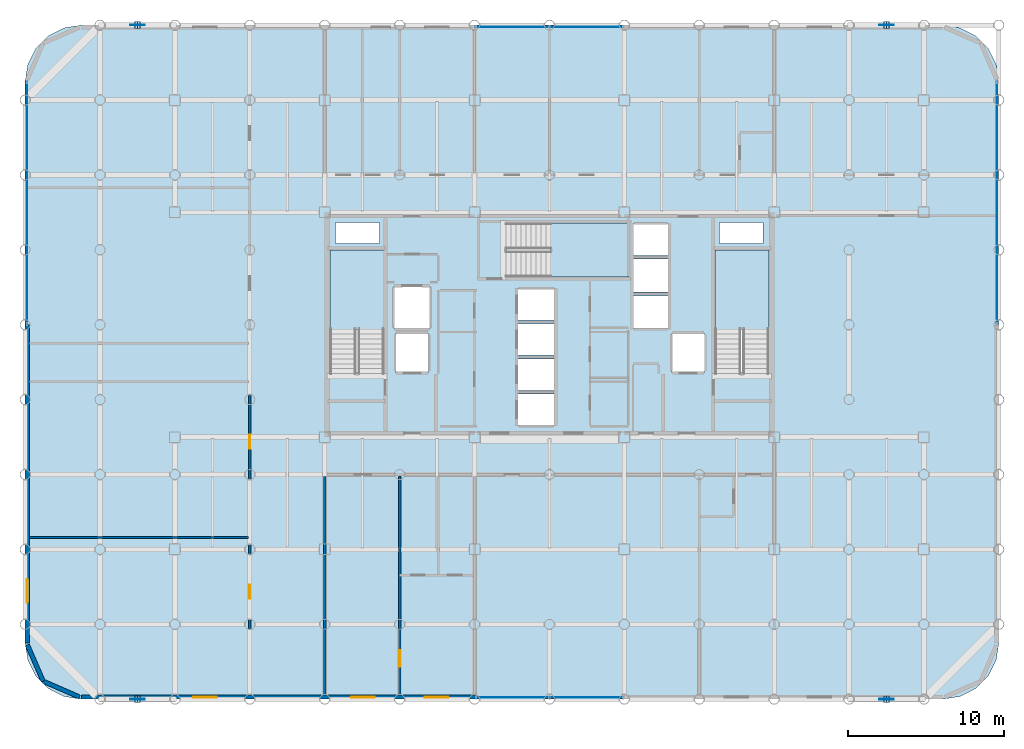
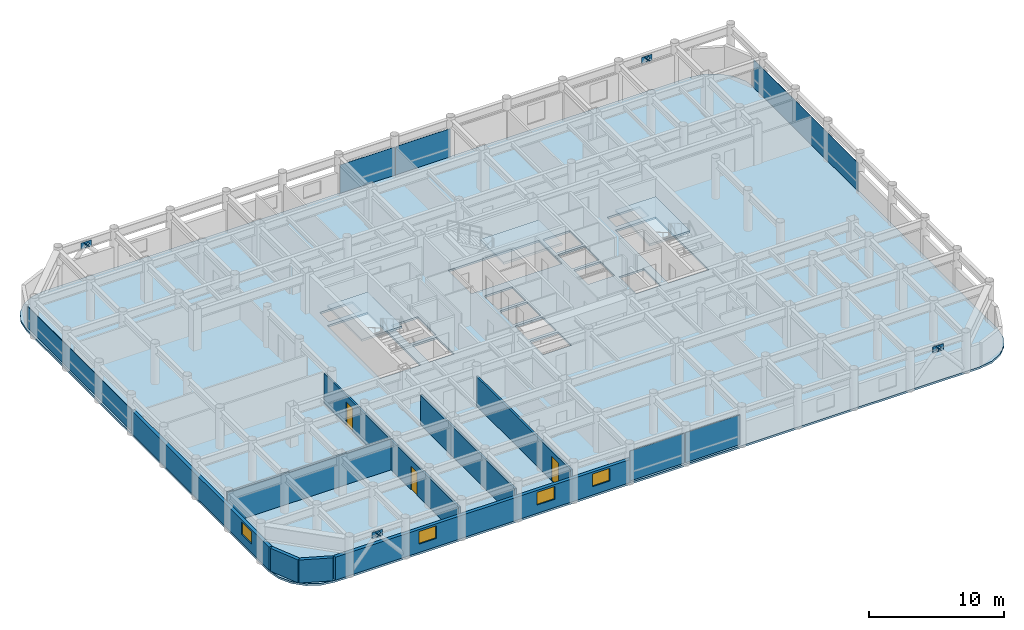
# One storey, part 15 of 20: 18 plates, 8 walls, 4 slabs, 4 windows, 3 doors, 7 openings, 7 elements without a shape of their own.
"""IFC4 building model written with IfcOpenShell, lengths in metres."""

from ifc_helpers import new_model, si_unit, direction, frame, frame_2d, origin, origin_2d, place, context, subcontext, project, spatial, polyline, rectangle, outline, extrude, material, layer, layer_set, type_object, element, fill, aggregate, save


model = new_model("IFC4")

# Units and contexts
model_context = context("Model", 3, precision=1e-05, world=origin(), true_north=direction((0.0, 1.0)))
body_context = subcontext(model_context, "Body", "Model", "MODEL_VIEW")
ifc_project = project(units=[si_unit("LENGTHUNIT", "METRE"), si_unit("AREAUNIT", "SQUARE_METRE"), si_unit("VOLUMEUNIT", "CUBIC_METRE"), si_unit("PLANEANGLEUNIT", "RADIAN"), si_unit("MASSUNIT", "GRAM", prefix="KILO")], contexts=[model_context])

# Site, building, storey
site_placement = place(None, origin())
site = spatial("IfcSite", under=ifc_project, at=site_placement, CompositionType="ELEMENT")
building_placement = place(site_placement, origin())
building = spatial("IfcBuilding", under=site, at=building_placement, Name="Kallvorn Hotel Tower", CompositionType="ELEMENT")
storey_placement = place(building_placement, frame((0.0, 0.0, 176.60009765625)))
storey = spatial("IfcBuildingStorey", under=building, at=storey_placement, Name="L44", CompositionType="ELEMENT", Elevation=176.60009765625)

# Curtain wall, plates
ifc_material_1 = material(Name="Thermally broken black-anodised aluminium AA 6063-T6", Category="aluminium")
ifc_layer_1 = layer(ifc_material_1, 0.2099609375)
ifc_layer_set_1 = layer_set([ifc_layer_1], Name="CW_SYS_4_HOTEL_MID")
curtain_wall_type = type_object("IfcCurtainWallType", Name="CW_SYS_4_HOTEL_MID", PredefinedType="USERDEFINED", material=ifc_layer_set_1)
curtain_wall_1_placement = place(storey_placement, origin())
curtain_wall_1 = element("IfcCurtainWall", 1, at=curtain_wall_1_placement, inside=storey, type_object=curtain_wall_type, Name="L44 Dark-Glass Curtain Wall CW-L44-SC", ObjectType="UNITISED CURTAIN WALL", PredefinedType="USERDEFINED")
ifc_material_2 = material(Name="Double-glazed low-e solar-control dark glass", Category="glass")
ifc_layer_2 = layer(ifc_material_2, 0.037841796875)
ifc_layer_set_2 = layer_set([ifc_layer_2], Name="CW_SYS_4_HOTEL_MID_PANEL")
plate_type_1 = type_object("IfcPlateType", Name="CW_SYS_4_HOTEL_MID_PANEL", PredefinedType="CURTAIN_PANEL", material=ifc_layer_set_2)
plate_1_placement = place(storey_placement, frame((-2.375, -23.8798828125, 0.059814453125), z_axis=(0.0, 0.0, 1.0), x_axis=(1.0, 0.0, 0.0)))
plate_1 = element("IfcPlate", 2, at=plate_1_placement, type_object=plate_type_1, Name="CW-L44-SC Vision Glass Panel 00", PredefinedType="CURTAIN_PANEL", context=body_context, shape_type="SweptSolid", body=[
    extrude(rectangle(XDim=4.68994140625, YDim=0.037841796875, at=origin_2d()), origin(), (0.0, 0.0, 1.0), 2.7099609375),
])
plate_2_placement = place(storey_placement, frame((2.375, -23.8798828125, 0.059814453125), z_axis=(0.0, 0.0, 1.0), x_axis=(1.0, 0.0, 0.0)))
plate_2 = element("IfcPlate", 3, at=plate_2_placement, type_object=plate_type_1, Name="CW-L44-SC Vision Glass Panel 01", PredefinedType="CURTAIN_PANEL", context=body_context, shape_type="SweptSolid", body=[
    extrude(rectangle(XDim=4.68994140625, YDim=0.037841796875, at=origin_2d()), origin(), (0.0, 0.0, 1.0), 2.7099609375),
])
aggregate(curtain_wall_1, [plate_1, plate_2])

curtain_wall_2_placement = place(storey_placement, origin())
curtain_wall_2 = element("IfcCurtainWall", 4, at=curtain_wall_2_placement, inside=storey, type_object=curtain_wall_type, Name="L44 Dark-Glass Curtain Wall CW-L44-NC", ObjectType="UNITISED CURTAIN WALL", PredefinedType="USERDEFINED")
plate_3_placement = place(storey_placement, frame((-2.375, 19.080078125, 0.059814453125), z_axis=(0.0, 0.0, 1.0), x_axis=(1.0, 0.0, 0.0)))
plate_3 = element("IfcPlate", 5, at=plate_3_placement, type_object=plate_type_1, Name="CW-L44-NC Vision Glass Panel 00", PredefinedType="CURTAIN_PANEL", context=body_context, shape_type="SweptSolid", body=[
    extrude(rectangle(XDim=4.68994140625, YDim=0.037841796875, at=origin_2d()), origin(), (0.0, 0.0, 1.0), 2.56005859375),
])
plate_4_placement = place(storey_placement, frame((2.375, 19.080078125, 0.059814453125), z_axis=(0.0, 0.0, 1.0), x_axis=(1.0, 0.0, 0.0)))
plate_4 = element("IfcPlate", 6, at=plate_4_placement, type_object=plate_type_1, Name="CW-L44-NC Vision Glass Panel 01", PredefinedType="CURTAIN_PANEL", context=body_context, shape_type="SweptSolid", body=[
    extrude(rectangle(XDim=4.68994140625, YDim=0.037841796875, at=origin_2d()), origin(), (0.0, 0.0, 1.0), 2.56005859375),
])
aggregate(curtain_wall_2, [plate_3, plate_4])

# Curtain wall, plate
curtain_wall_3_placement = place(storey_placement, origin())
curtain_wall_3 = element("IfcCurtainWall", 7, at=curtain_wall_3_placement, inside=storey, type_object=curtain_wall_type, Name="L44 Dark-Glass Curtain Wall CW-L44-WN", ObjectType="UNITISED CURTAIN WALL", PredefinedType="USERDEFINED")
plate_5_placement = place(storey_placement, frame((-33.47998046875, 7.81005859375, 0.059814453125), z_axis=(0.0, 0.0, 1.0), x_axis=(0.0, 1.0, 0.0)))
plate_5 = element("IfcPlate", 8, at=plate_5_placement, type_object=plate_type_1, Name="CW-L44-WN Vision Glass Panel 00", PredefinedType="CURTAIN_PANEL", context=body_context, shape_type="SweptSolid", body=[
    extrude(rectangle(XDim=15.52001953125, YDim=0.037841796875, at=origin_2d()), origin(), (0.0, 0.0, 1.0), 1.9599609375),
])
aggregate(curtain_wall_3, [plate_5])

curtain_wall_4_placement = place(storey_placement, origin())
curtain_wall_4 = element("IfcCurtainWall", 9, at=curtain_wall_4_placement, inside=storey, type_object=curtain_wall_type, Name="L44 Dark-Glass Curtain Wall CW-L44-EN", ObjectType="UNITISED CURTAIN WALL", PredefinedType="USERDEFINED")
plate_6_placement = place(storey_placement, frame((28.679931640625, 7.81005859375, 0.059814453125), z_axis=(0.0, 0.0, 1.0), x_axis=(0.0, 1.0, 0.0)))
plate_6 = element("IfcPlate", 10, at=plate_6_placement, type_object=plate_type_1, Name="CW-L44-EN Vision Glass Panel 00", PredefinedType="CURTAIN_PANEL", context=body_context, shape_type="SweptSolid", body=[
    extrude(rectangle(XDim=15.52001953125, YDim=0.037841796875, at=origin_2d()), origin(), (0.0, 0.0, 1.0), 2.56005859375),
])
aggregate(curtain_wall_4, [plate_6])

# Plates
ifc_material_3 = material(Name="Structural steel S355JR", Category="steel")
ifc_layer_3 = layer(ifc_material_3, 0.030029296875)
ifc_layer_set_3 = layer_set([ifc_layer_3], Name="PLT_CAP_30")
plate_type_2 = type_object("IfcPlateType", Name="PLT_CAP_30", PredefinedType="SHEET", material=ifc_layer_set_3)
for number, where, z_axis, x_axis, name in (
    (11, (-26.228271484375, -24.2177734375, 2.83544921875), (0.651852375345, 0.0, 0.758345884645), (0.0, 1.0, 0.0), "EXO-L44-S1A End Cap Plate B"),
    (12, (-26.57177734375, -23.7822265625, 2.83544921875), (-0.651852375345, 0.0, 0.758345884645), (0.0, -1.0, 0.0), "EXO-L44-S1B End Cap Plate B"),
    (13, (21.771728515625, -24.2177734375, 2.83544921875), (0.651852375345, 0.0, 0.758345884645), (0.0, 1.0, 0.0), "EXO-L44-S2A End Cap Plate B"),
    (14, (21.42822265625, -23.7822265625, 2.83544921875), (-0.651852375345, 0.0, 0.758345884645), (0.0, -1.0, 0.0), "EXO-L44-S2B End Cap Plate B"),
    (15, (-26.228271484375, 18.982177734375, 2.83544921875), (0.651852375345, 0.0, 0.758345884645), (0.0, 1.0, 0.0), "EXO-L44-N1A End Cap Plate B"),
    (16, (-26.57177734375, 19.417724609375, 2.83544921875), (-0.651852375345, 0.0, 0.758345884645), (0.0, -1.0, 0.0), "EXO-L44-N1B End Cap Plate B"),
    (17, (21.771728515625, 18.982177734375, 2.83544921875), (0.651852375345, 0.0, 0.758345884645), (0.0, 1.0, 0.0), "EXO-L44-N2A End Cap Plate B"),
    (18, (21.42822265625, 19.417724609375, 2.83544921875), (-0.651852375345, 0.0, 0.758345884645), (0.0, -1.0, 0.0), "EXO-L44-N2B End Cap Plate B"),
):
    element("IfcPlate", number, at=place(storey_placement, frame(where, z_axis=z_axis, x_axis=x_axis)), inside=storey, type_object=plate_type_2, Name=name, PredefinedType="SHEET", context=body_context, shape_type="SweptSolid", body=[
        extrude(outline(polyline([(0.0, 0.0), (0.435546875, 0.0), (0.435546875, 0.4355825914184799), (0.0, 0.4355825914184799), (0.0, 0.0)])), origin(), (0.0, 0.0, -1.0), 0.030029296875),
    ])
ifc_material_4 = material(Name="Structural steel S355JR", Category="steel")
ifc_layer_4 = layer(ifc_material_4, 0.034912109375)
ifc_layer_set_4 = layer_set([ifc_layer_4], Name="PLT_GUSSET_35")
plate_type_3 = type_object("IfcPlateType", Name="PLT_GUSSET_35", PredefinedType="USERDEFINED", material=ifc_layer_set_4)
for number, where, z_axis, x_axis, name in (
    (19, (-26.39990234375, -24.0, 2.64990234375), (0.0, 0.0, 1.0), (1.0, 0.0, 0.0), "L44 Exoskeleton Node Gusset S1"),
    (20, (21.60009765625, -24.0, 2.64990234375), (0.0, 0.0, 1.0), (1.0, 0.0, 0.0), "L44 Exoskeleton Node Gusset S2"),
    (21, (-26.39990234375, 19.199951171875, 2.64990234375), (0.0, 0.0, 1.0), (1.0, 0.0, 0.0), "L44 Exoskeleton Node Gusset N1"),
    (22, (21.60009765625, 19.199951171875, 2.64990234375), (0.0, 0.0, 1.0), (1.0, 0.0, 0.0), "L44 Exoskeleton Node Gusset N2"),
):
    element("IfcPlate", number, at=place(storey_placement, frame(where, z_axis=z_axis, x_axis=x_axis)), inside=storey, type_object=plate_type_3, Name=name, ObjectType="GUSSET PLATE", PredefinedType="USERDEFINED", context=body_context, shape_type="SweptSolid", body=[
        extrude(rectangle(XDim=0.89990234375, YDim=0.034912109375, at=origin_2d()), origin(), (0.0, 0.0, 1.0), 0.56005859375),
    ])

# Stair, slab
ifc_material_5 = material(Name="Precast concrete C40/50", Category="concrete")
stair_type = type_object("IfcStairType", Name="STR_CORE_DOGLEG", PredefinedType="HALF_TURN_STAIR", material=ifc_material_5)
stair_1_placement = place(storey_placement, origin())
stair_1 = element("IfcStair", 23, at=stair_1_placement, inside=storey, type_object=stair_type, Name="L44 Exit stair ST1", PredefinedType="HALF_TURN_STAIR")
ifc_material_6 = material(Name="Precast concrete C40/50", Category="concrete")
ifc_layer_5 = layer(ifc_material_6, 0.179931640625)
ifc_layer_set_5 = layer_set([ifc_layer_5], Name="SLB_LANDING_180")
slab_type_1 = type_object("IfcSlabType", Name="SLB_LANDING_180", PredefinedType="LANDING", material=ifc_layer_set_5)
slab_1_placement = place(storey_placement, frame((0.0, 0.0, 1.64990234375)))
slab_1 = element("IfcSlab", 24, at=slab_1_placement, type_object=slab_type_1, Name="ST1 landing 1", PredefinedType="LANDING", context=body_context, shape_type="SweptSolid", body=[
    extrude(outline(polyline([(-10.60009765625, -0.31005859375), (-10.60009765625, 4.800048828125), (-14.06005859375, 4.800048828125), (-14.06005859375, -0.31005859375), (-10.60009765625, -0.31005859375)])), origin(), (0.0, 0.0, 1.0), 0.199951171875),
])
aggregate(stair_1, [slab_1])

stair_2_placement = place(storey_placement, origin())
stair_2 = element("IfcStair", 25, at=stair_2_placement, inside=storey, type_object=stair_type, Name="L44 Exit stair ST2", PredefinedType="HALF_TURN_STAIR")
slab_2_placement = place(storey_placement, frame((0.0, 0.0, 1.64990234375)))
slab_2 = element("IfcSlab", 26, at=slab_2_placement, type_object=slab_type_1, Name="ST2 landing 1", PredefinedType="LANDING", context=body_context, shape_type="SweptSolid", body=[
    extrude(outline(polyline([(14.06005859375, -0.31005859375), (14.06005859375, 4.800048828125), (10.60009765625, 4.800048828125), (10.60009765625, -0.31005859375), (14.06005859375, -0.31005859375)])), origin(), (0.0, 0.0, 1.0), 0.199951171875),
])
aggregate(stair_2, [slab_2])

stair_3_placement = place(storey_placement, origin())
stair_3 = element("IfcStair", 27, at=stair_3_placement, inside=storey, type_object=stair_type, Name="L44 Exit stair ST3", PredefinedType="HALF_TURN_STAIR")
slab_3_placement = place(storey_placement, frame((0.0, 0.0, 1.64990234375)))
slab_3 = element("IfcSlab", 28, at=slab_3_placement, type_object=slab_type_1, Name="ST3 landing 1", PredefinedType="LANDING", context=body_context, shape_type="SweptSolid", body=[
    extrude(outline(polyline([(0.0400390625, 3.050048828125), (5.050048828125, 3.050048828125), (5.050048828125, 6.510009765625), (0.0400390625, 6.510009765625), (0.0400390625, 3.050048828125)])), origin(), (0.0, 0.0, 1.0), 0.199951171875),
])
aggregate(stair_3, [slab_3])

# Slab
ifc_material_7 = material(Name="Concrete C40/50", Category="concrete")
ifc_layer_6 = layer(ifc_material_7, 0.179931640625)
ifc_layer_set_6 = layer_set([ifc_layer_6], Name="SLB_TOWER_180")
slab_type_2 = type_object("IfcSlabType", Name="SLB_TOWER_180", PredefinedType="FLOOR", material=ifc_layer_set_6)
slab_4_placement = place(storey_placement, frame((0.0, 0.0, -0.18017578125)))
element("IfcSlab", 29, at=slab_4_placement, inside=storey, type_object=slab_type_2, Name="L44 Structural Floor Slab", PredefinedType="FLOOR", context=body_context, shape_type="SweptSolid", body=[
    extrude(outline(polyline([(25.199951171875, -24.0), (26.3125, -23.82373046875), (27.31591796875, -23.3125), (28.112548828125, -22.51611328125), (28.623779296875, -21.512451171875), (28.800048828125, -20.39990234375), (28.800048828125, 15.60009765625), (28.623779296875, 16.71240234375), (28.112548828125, 17.716064453125), (27.31591796875, 18.512451171875), (26.3125, 19.023681640625), (25.199951171875, 19.199951171875), (-30.0, 19.199951171875), (-31.112548828125, 19.023681640625), (-32.115966796875, 18.512451171875), (-32.91259765625, 17.716064453125), (-33.423828125, 16.71240234375), (-33.60009765625, 15.60009765625), (-33.60009765625, -20.39990234375), (-33.423828125, -21.512451171875), (-32.91259765625, -22.51611328125), (-32.115966796875, -23.3125), (-31.112548828125, -23.82373046875), (-30.0, -24.0), (25.199951171875, -24.0)]), holes=[polyline([(-10.60009765625, -3.070068359375), (-10.60009765625, 4.800048828125), (-14.06005859375, 4.800048828125), (-14.06005859375, -3.070068359375), (-10.60009765625, -3.070068359375)]), polyline([(14.06005859375, -3.070068359375), (14.06005859375, 4.800048828125), (10.60009765625, 4.800048828125), (10.60009765625, -3.070068359375), (14.06005859375, -3.070068359375)]), polyline([(-2.719970703125, 3.050048828125), (5.050048828125, 3.050048828125), (5.050048828125, 6.510009765625), (-2.719970703125, 6.510009765625), (-2.719970703125, 3.050048828125)]), polyline([(-2.050048828125, -6.449951171875), (0.35009765625, -6.449951171875), (0.35009765625, -4.449951171875), (-2.050048828125, -4.449951171875), (-2.050048828125, -6.449951171875)]), polyline([(-2.050048828125, -4.199951171875), (0.35009765625, -4.199951171875), (0.35009765625, -2.199951171875), (-2.050048828125, -2.199951171875), (-2.050048828125, -4.199951171875)]), polyline([(-2.050048828125, -1.949951171875), (0.35009765625, -1.949951171875), (0.35009765625, 0.050048828125), (-2.050048828125, 0.050048828125), (-2.050048828125, -1.949951171875)]), polyline([(-2.050048828125, 0.300048828125), (0.35009765625, 0.300048828125), (0.35009765625, 2.300048828125), (-2.050048828125, 2.300048828125), (-2.050048828125, 0.300048828125)]), polyline([(5.35009765625, -0.25), (7.64990234375, -0.25), (7.64990234375, 1.85009765625), (5.35009765625, 1.85009765625), (5.35009765625, -0.25)]), polyline([(5.35009765625, 2.10009765625), (7.64990234375, 2.10009765625), (7.64990234375, 4.199951171875), (5.35009765625, 4.199951171875), (5.35009765625, 2.10009765625)]), polyline([(5.35009765625, 4.449951171875), (7.64990234375, 4.449951171875), (7.64990234375, 6.449951171875), (5.35009765625, 6.449951171875), (5.35009765625, 4.449951171875)]), polyline([(-9.85009765625, -3.050048828125), (-7.75, -3.050048828125), (-7.75, -0.550048828125), (-9.85009765625, -0.550048828125), (-9.85009765625, -3.050048828125)]), polyline([(7.85009765625, -3.050048828125), (9.949951171875, -3.050048828125), (9.949951171875, -0.550048828125), (7.85009765625, -0.550048828125), (7.85009765625, -3.050048828125)]), polyline([(-9.949951171875, -0.25), (-7.64990234375, -0.25), (-7.64990234375, 2.449951171875), (-9.949951171875, 2.449951171875), (-9.949951171875, -0.25)]), polyline([(-13.699951171875, 5.199951171875), (-10.89990234375, 5.199951171875), (-10.89990234375, 6.550048828125), (-13.699951171875, 6.550048828125), (-13.699951171875, 5.199951171875)]), polyline([(10.89990234375, 5.199951171875), (13.699951171875, 5.199951171875), (13.699951171875, 6.550048828125), (10.89990234375, 6.550048828125), (10.89990234375, 5.199951171875)])]), origin(), (0.0, 0.0, 1.0), 0.18017578125),
])

# Wall
ifc_material_8 = material(Name="Fire-rated double-layer acoustic gypsum drywall EI 60")
ifc_layer_7 = layer(ifc_material_8, 0.159912109375)
ifc_layer_set_7 = layer_set([ifc_layer_7], Name="WL_DEMISE_160")
wall_type_1 = type_object("IfcWallType", Name="WL_DEMISE_160", PredefinedType="PARTITIONING", material=ifc_layer_set_7)
wall_1_placement = place(storey_placement, frame((-14.39990234375, -23.7099609375, 0.0), z_axis=(0.0, 0.0, 1.0), x_axis=(0.0, 1.0, 0.0)))
element("IfcWall", 30, at=wall_1_placement, inside=storey, type_object=wall_type_1, Name="L44 Suite 4401 Executive Living Salon Partition", PredefinedType="PARTITIONING", context=body_context, shape_type="SweptSolid", body=[
    extrude(rectangle(XDim=13.989990234375, YDim=0.159912109375, at=frame_2d((6.9951171875, 0.0))), origin(), (0.0, 0.0, 1.0), 2.679931640625),
])

# Wall, opening, door
wall_2_placement = place(storey_placement, frame((-9.60009765625, -23.7099609375, 0.0), z_axis=(0.0, 0.0, 1.0), x_axis=(0.0, 1.0, 0.0)))
wall_2 = element("IfcWall", 31, at=wall_2_placement, inside=storey, type_object=wall_type_1, Name="L44 Suite 4401 Executive Bedroom Partition", PredefinedType="PARTITIONING", context=body_context, shape_type="SweptSolid", body=[
    extrude(rectangle(XDim=13.989990234375, YDim=0.159912109375, at=frame_2d((6.9951171875, 0.0))), origin(), (0.0, 0.0, 1.0), 2.679931640625),
])
opening_1_placement = place(wall_2_placement, frame((1.802978515625, 0.0, 0.0)))
opening_1 = element("IfcOpeningElement", 32, at=opening_1_placement, cuts=wall_2, Name="Opening GD2", PredefinedType="OPENING", context=body_context, shape_type="SweptSolid", body=[
    extrude(rectangle(XDim=1.050048828125, YDim=2.199951171875, at=frame_2d((0.52490234375, 1.10009765625))), frame((0.0, 0.094970703125, 0.0), z_axis=(0.0, -1.0, 0.0), x_axis=(1.0, 0.0, 0.0)), (0.0, 0.0, 1.0), 0.18994140625),
])
ifc_material_9 = material(Name="Solid-core walnut veneer fire-rated timber door leaf", Category="wood")
door_type_1 = type_object("IfcDoorType", Name="DR_SUITE_1050x2200", OperationType="NOTDEFINED", PredefinedType="DOOR", material=ifc_material_9)
door_1_placement = place(opening_1_placement, origin())
door_1 = element("IfcDoor", 33, at=door_1_placement, inside=storey, type_object=door_type_1, Name="L44 Suite 4401 Executive Bedroom Door", OperationType="SINGLE_SWING_LEFT", OverallHeight=2.199951171875, OverallWidth=1.050048828125, PredefinedType="DOOR", context=body_context, shape_type="SweptSolid", body=[
    extrude(rectangle(XDim=1.050048828125, YDim=2.199951171875, at=frame_2d((0.52490234375, 1.10009765625))), frame((0.0, 0.02490234375, 0.0), z_axis=(0.0, -1.0, 0.0), x_axis=(1.0, 0.0, 0.0)), (0.0, 0.0, 1.0), 0.050048828125),
])
fill(opening_1, door_1)

# Walls
ifc_material_10 = material(Name="Precast basalt-clad insulated concrete wall C40/50", Category="masonry")
ifc_layer_8 = layer(ifc_material_10, 0.280029296875)
ifc_layer_set_8 = layer_set([ifc_layer_8], Name="WL_EXT_LOGGIA_280")
wall_type_2 = type_object("IfcWallType", Name="WL_EXT_LOGGIA_280", PredefinedType="SOLIDWALL", material=ifc_layer_set_8)
wall_3_placement = place(storey_placement, frame((-33.4580078125, -20.520751953125, 0.0), z_axis=(0.0, 0.0, 1.0), x_axis=(0.398792985289, -0.917040977756, 0.0)))
element("IfcWall", 34, at=wall_3_placement, inside=storey, type_object=wall_type_2, Name="L44 Rounded Corner Exterior Wall SW1", PredefinedType="SOLIDWALL", context=body_context, shape_type="SweptSolid", body=[
    extrude(rectangle(XDim=2.536376953125, YDim=0.280029296875, at=frame_2d((1.26806640625, 0.0))), origin(), (0.0, 0.0, 1.0), 2.079833984375),
])
wall_4_placement = place(storey_placement, frame((-32.446533203125, -22.8466796875, 0.0), z_axis=(0.0, 0.0, 1.0), x_axis=(0.917060872934, -0.398747232384, 0.0)))
element("IfcWall", 35, at=wall_4_placement, inside=storey, type_object=wall_type_2, Name="L44 Rounded Corner Exterior Wall SW2", PredefinedType="SOLIDWALL", context=body_context, shape_type="SweptSolid", body=[
    extrude(rectangle(XDim=2.5361328125, YDim=0.280029296875, at=frame_2d((1.26806640625, 0.0))), origin(), (0.0, 0.0, 1.0), 2.079833984375),
])

# Wall, openings, windows
wall_5_placement = place(storey_placement, frame((-30.0, -23.860107421875, 0.0), z_axis=(0.0, 0.0, 1.0), x_axis=(1.0, 0.0, 0.0)))
wall_5 = element("IfcWall", 36, at=wall_5_placement, inside=storey, type_object=wall_type_2, Name="L44 Exterior Envelope Wall EW-L44-SW", PredefinedType="SOLIDWALL", context=body_context, shape_type="SweptSolid", body=[
    extrude(rectangle(XDim=25.25, YDim=0.280029296875, at=frame_2d((12.625, 0.0))), origin(), (0.0, 0.0, 1.0), 2.079833984375),
])
opening_2_placement = place(wall_5_placement, frame((7.1630859375, 0.0, 0.75)))
opening_2 = element("IfcOpeningElement", 37, at=opening_2_placement, cuts=wall_5, Name="Opening W05A", PredefinedType="OPENING", context=body_context, shape_type="SweptSolid", body=[
    extrude(rectangle(XDim=1.5, YDim=1.14990234375, at=frame_2d((0.75, 0.574951171875))), frame((0.0, 0.155029296875, 0.0), z_axis=(0.0, -1.0, 0.0), x_axis=(1.0, 0.0, 0.0)), (0.0, 0.0, 1.0), 0.31005859375),
])
opening_3_placement = place(wall_5_placement, frame((17.2900390625, 0.0, 0.75)))
opening_3 = element("IfcOpeningElement", 38, at=opening_3_placement, cuts=wall_5, Name="Opening W05A", PredefinedType="OPENING", context=body_context, shape_type="SweptSolid", body=[
    extrude(rectangle(XDim=1.5, YDim=1.14990234375, at=frame_2d((0.75, 0.574951171875))), frame((0.0, 0.155029296875, 0.0), z_axis=(0.0, -1.0, 0.0), x_axis=(1.0, 0.0, 0.0)), (0.0, 0.0, 1.0), 0.31005859375),
])
opening_4_placement = place(wall_5_placement, frame((22.010009765625, 0.0, 0.75)))
opening_4 = element("IfcOpeningElement", 39, at=opening_4_placement, cuts=wall_5, Name="Opening W05A", PredefinedType="OPENING", context=body_context, shape_type="SweptSolid", body=[
    extrude(rectangle(XDim=1.5, YDim=1.14990234375, at=frame_2d((0.75, 0.574951171875))), frame((0.0, 0.155029296875, 0.0), z_axis=(0.0, -1.0, 0.0), x_axis=(1.0, 0.0, 0.0)), (0.0, 0.0, 1.0), 0.31005859375),
])
ifc_material_11 = material(Name="Double-glazed low-e solar-control dark glass", Category="glass")
window_type = type_object("IfcWindowType", Name="WN_HTL_1500x1150", PartitioningType="SINGLE_PANEL", PredefinedType="WINDOW", material=ifc_material_11)
window_1_placement = place(opening_2_placement, origin())
window_1 = element("IfcWindow", 40, at=window_1_placement, inside=storey, type_object=window_type, Name="L44 Guestroom Exterior Window 01", OverallHeight=1.14990234375, OverallWidth=1.5, PartitioningType="SINGLE_PANEL", PredefinedType="WINDOW", context=body_context, shape_type="SweptSolid", body=[
    extrude(rectangle(XDim=1.5, YDim=1.14990234375, at=frame_2d((0.75, 0.574951171875))), frame((0.0, 0.030029296875, 0.0), z_axis=(0.0, -1.0, 0.0), x_axis=(1.0, 0.0, 0.0)), (0.0, 0.0, 1.0), 0.06005859375),
])
fill(opening_2, window_1)
window_2_placement = place(opening_3_placement, origin())
window_2 = element("IfcWindow", 41, at=window_2_placement, inside=storey, type_object=window_type, Name="L44 Guestroom Exterior Window 06", OverallHeight=1.14990234375, OverallWidth=1.5, PartitioningType="SINGLE_PANEL", PredefinedType="WINDOW", context=body_context, shape_type="SweptSolid", body=[
    extrude(rectangle(XDim=1.5, YDim=1.14990234375, at=frame_2d((0.75, 0.574951171875))), frame((0.0, 0.030029296875, 0.0), z_axis=(0.0, -1.0, 0.0), x_axis=(1.0, 0.0, 0.0)), (0.0, 0.0, 1.0), 0.06005859375),
])
fill(opening_3, window_2)
window_3_placement = place(opening_4_placement, origin())
window_3 = element("IfcWindow", 42, at=window_3_placement, inside=storey, type_object=window_type, Name="L44 Guestroom Exterior Window 07", OverallHeight=1.14990234375, OverallWidth=1.5, PartitioningType="SINGLE_PANEL", PredefinedType="WINDOW", context=body_context, shape_type="SweptSolid", body=[
    extrude(rectangle(XDim=1.5, YDim=1.14990234375, at=frame_2d((0.75, 0.574951171875))), frame((0.0, 0.030029296875, 0.0), z_axis=(0.0, -1.0, 0.0), x_axis=(1.0, 0.0, 0.0)), (0.0, 0.0, 1.0), 0.06005859375),
])
fill(opening_4, window_3)

# Wall, opening, window
wall_6_placement = place(storey_placement, frame((-33.4599609375, -20.39990234375, 0.0), z_axis=(0.0, 0.0, 1.0), x_axis=(0.0, 1.0, 0.0)))
wall_6 = element("IfcWall", 43, at=wall_6_placement, inside=storey, type_object=wall_type_2, Name="L44 Exterior Envelope Wall EW-L44-WS", PredefinedType="SOLIDWALL", context=body_context, shape_type="SweptSolid", body=[
    extrude(rectangle(XDim=20.3798828125, YDim=0.280029296875, at=frame_2d((10.18994140625, 0.0))), origin(), (0.0, 0.0, 1.0), 2.079833984375),
])
opening_5_placement = place(wall_6_placement, frame((2.593017578125, 0.0, 0.75)))
opening_5 = element("IfcOpeningElement", 44, at=opening_5_placement, cuts=wall_6, Name="Opening W05A", PredefinedType="OPENING", context=body_context, shape_type="SweptSolid", body=[
    extrude(rectangle(XDim=1.5, YDim=1.14990234375, at=frame_2d((0.75, 0.574951171875))), frame((0.0, 0.155029296875, 0.0), z_axis=(0.0, -1.0, 0.0), x_axis=(1.0, 0.0, 0.0)), (0.0, 0.0, 1.0), 0.31005859375),
])
window_4_placement = place(opening_5_placement, origin())
window_4 = element("IfcWindow", 45, at=window_4_placement, inside=storey, type_object=window_type, Name="L44 Flank Wing Window 02", OverallHeight=1.14990234375, OverallWidth=1.5, PartitioningType="SINGLE_PANEL", PredefinedType="WINDOW", context=body_context, shape_type="SweptSolid", body=[
    extrude(rectangle(XDim=1.5, YDim=1.14990234375, at=frame_2d((0.75, 0.574951171875))), frame((0.0, 0.030029296875, 0.0), z_axis=(0.0, -1.0, 0.0), x_axis=(1.0, 0.0, 0.0)), (0.0, 0.0, 1.0), 0.06005859375),
])
fill(opening_5, window_4)

# Wall
ifc_material_12 = material(Name="Fire-rated double-layer acoustic gypsum drywall EI 60")
ifc_layer_9 = layer(ifc_material_12, 0.14990234375)
ifc_layer_set_9 = layer_set([ifc_layer_9], Name="WL_PART_150")
wall_type_3 = type_object("IfcWallType", Name="WL_PART_150", PredefinedType="PARTITIONING", material=ifc_layer_set_9)
wall_7_placement = place(storey_placement, frame((-33.31005859375, -13.635009765625, 0.0), z_axis=(0.0, 0.0, 1.0), x_axis=(1.0, 0.0, 0.0)))
element("IfcWall", 46, at=wall_7_placement, inside=storey, type_object=wall_type_3, Name="L44 L44 South-West Facade Cocktail Bar Partition", PredefinedType="PARTITIONING", context=body_context, shape_type="SweptSolid", body=[
    extrude(rectangle(XDim=14.030029296875, YDim=0.14990234375, at=frame_2d((7.01513671875, 0.0))), origin(), (0.0, 0.0, 1.0), 2.829833984375),
])

# Wall, openings, doors
wall_8_placement = place(storey_placement, frame((-19.199951171875, -23.7099609375, 0.0), z_axis=(0.0, 0.0, 1.0), x_axis=(0.0, 1.0, 0.0)))
wall_8 = element("IfcWall", 47, at=wall_8_placement, inside=storey, type_object=wall_type_3, Name="L44 L44 South-West Facade Cocktail Bar Partition", PredefinedType="PARTITIONING", context=body_context, shape_type="SweptSolid", body=[
    extrude(rectangle(XDim=19.96484375, YDim=0.14990234375, at=frame_2d((9.982421875, 0.0))), origin(), (0.0, 0.0, 1.0), 2.679931640625),
])
opening_6_placement = place(wall_8_placement, frame((6.162353515625, 0.0, 0.0)))
opening_6 = element("IfcOpeningElement", 48, at=opening_6_placement, cuts=wall_8, Name="Opening SVD1", PredefinedType="OPENING", context=body_context, shape_type="SweptSolid", body=[
    extrude(rectangle(XDim=0.89990234375, YDim=2.10009765625, at=frame_2d((0.449951171875, 1.050048828125))), frame((0.0, 0.08984375, 0.0), z_axis=(0.0, -1.0, 0.0), x_axis=(1.0, 0.0, 0.0)), (0.0, 0.0, 1.0), 0.179931640625),
])
opening_7_placement = place(wall_8_placement, frame((15.770263671875, 0.0, 0.0)))
opening_7 = element("IfcOpeningElement", 49, at=opening_7_placement, cuts=wall_8, Name="Opening SVD1", PredefinedType="OPENING", context=body_context, shape_type="SweptSolid", body=[
    extrude(rectangle(XDim=0.89990234375, YDim=2.10009765625, at=frame_2d((0.449951171875, 1.050048828125))), frame((0.0, 0.08984375, 0.0), z_axis=(0.0, -1.0, 0.0), x_axis=(1.0, 0.0, 0.0)), (0.0, 0.0, 1.0), 0.179931640625),
])
ifc_material_13 = material(Name="Galvanised painted steel fire-rated door assembly", Category="steel")
door_type_2 = type_object("IfcDoorType", Name="DR_SERV_900x2100", OperationType="NOTDEFINED", PredefinedType="DOOR", material=ifc_material_13)
door_2_placement = place(opening_6_placement, origin())
door_2 = element("IfcDoor", 50, at=door_2_placement, inside=storey, type_object=door_type_2, Name="L44 L44 South-West Facade Cocktail Bar Door", OperationType="SINGLE_SWING_LEFT", OverallHeight=2.10009765625, OverallWidth=0.89990234375, PredefinedType="DOOR", context=body_context, shape_type="SweptSolid", body=[
    extrude(rectangle(XDim=0.89990234375, YDim=2.10009765625, at=frame_2d((0.449951171875, 1.050048828125))), frame((0.0, 0.02490234375, 0.0), z_axis=(0.0, -1.0, 0.0), x_axis=(1.0, 0.0, 0.0)), (0.0, 0.0, 1.0), 0.050048828125),
])
fill(opening_6, door_2)
door_3_placement = place(opening_7_placement, origin())
door_3 = element("IfcDoor", 51, at=door_3_placement, inside=storey, type_object=door_type_2, Name="L44 L44 South-West Spine Boutique Shop Door", OperationType="SINGLE_SWING_LEFT", OverallHeight=2.10009765625, OverallWidth=0.89990234375, PredefinedType="DOOR", context=body_context, shape_type="SweptSolid", body=[
    extrude(rectangle(XDim=0.89990234375, YDim=2.10009765625, at=frame_2d((0.449951171875, 1.050048828125))), frame((0.0, 0.02490234375, 0.0), z_axis=(0.0, -1.0, 0.0), x_axis=(1.0, 0.0, 0.0)), (0.0, 0.0, 1.0), 0.050048828125),
])
fill(opening_7, door_3)

save(model, "model.ifc")
